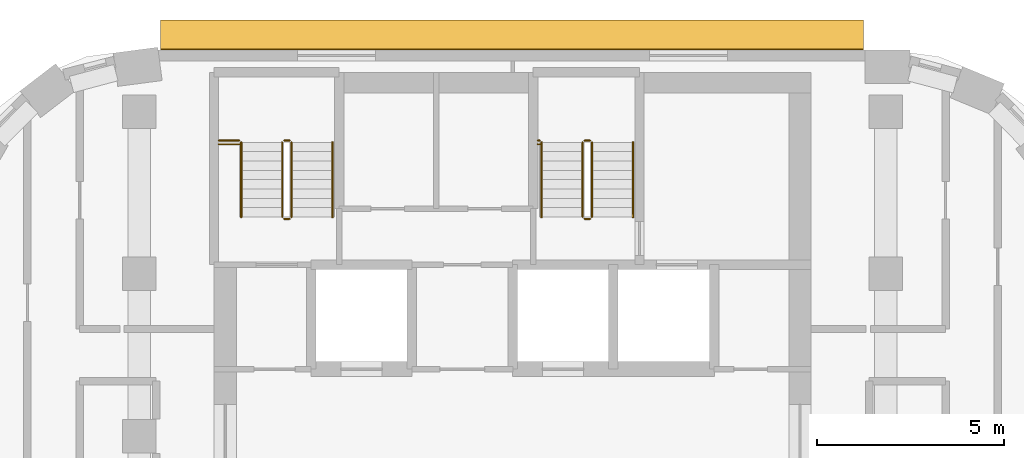
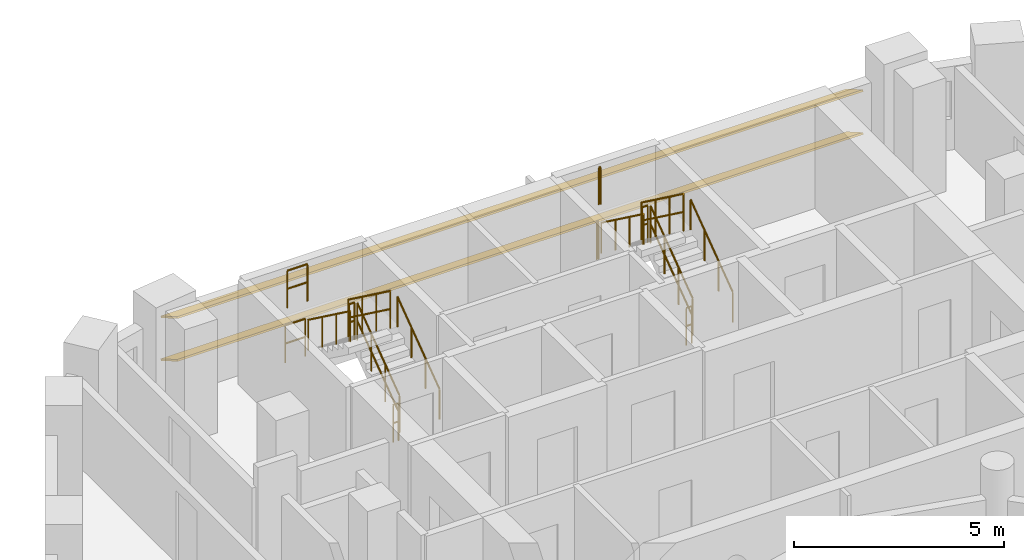
# One storey, part 16 of 16: 16 railings, 2 shading devices.
"""IFC4 building model written with IfcOpenShell, lengths in metres."""

from ifc_helpers import new_model, si_unit, direction, frame, origin, origin_2d, place, context, subcontext, project, spatial, rectangle, circle, extrude, material, material_profile, profile_set, type_object, element, save


model = new_model("IFC4")

# Units and contexts
model_context = context("Model", 3, precision=1e-05, world=origin(), true_north=direction((0.0, 1.0)))
body_context = subcontext(model_context, "Body", "Model", "MODEL_VIEW")
ifc_project = project(units=[si_unit("LENGTHUNIT", "METRE"), si_unit("AREAUNIT", "SQUARE_METRE"), si_unit("VOLUMEUNIT", "CUBIC_METRE"), si_unit("PLANEANGLEUNIT", "RADIAN"), si_unit("MASSUNIT", "GRAM", prefix="KILO")], contexts=[model_context])

# Site, building, storey
site_placement = place(None, origin())
site = spatial("IfcSite", under=ifc_project, at=site_placement, CompositionType="ELEMENT")
building_placement = place(site_placement, origin())
building = spatial("IfcBuilding", under=site, at=building_placement, Name="Nakaniwa Court", CompositionType="ELEMENT")
storey_placement = place(building_placement, frame((0.0, 0.0, 193.199951171875)))
storey = spatial("IfcBuildingStorey", under=building, at=storey_placement, Name="L50", CompositionType="ELEMENT", Elevation=193.199951171875)

# Shading devices
ifc_material_1 = material(Name="Perforated charcoal ceramic louvre blade")
ifc_material_profile = material_profile(ifc_material_1, rectangle(XDim=0.89990234375, YDim=0.050048828125, at=origin_2d()), Name="Perforated ceramic louvre blade")
ifc_profile_set = profile_set([ifc_material_profile], Name="Perforated charcoal ceramic louvre blade")
shading_device_type = type_object("IfcShadingDeviceType", Name="Perforated ceramic louvre blade", PredefinedType="JALOUSIE", material=ifc_profile_set)
for number, where, z_axis, x_axis, name in (
    (1, (89.3994140625, 103.05224609375, 0.550048828125), (-1.0, 0.0, 0.0), (0.0, -0.866025403784, 0.5), "L50 perforated ceramic louvre blade w08 1"),
    (2, (89.3994140625, 103.05224609375, 1.79345703125), (-1.0, 0.0, 0.0), (0.0, -0.866025403784, 0.5), "L50 perforated ceramic louvre blade w08 2"),
):
    element("IfcShadingDevice", number, at=place(storey_placement, frame(where, z_axis=z_axis, x_axis=x_axis)), inside=storey, type_object=shading_device_type, Name=name, PredefinedType="JALOUSIE", context=body_context, shape_type="SweptSolid", body=[
        extrude(rectangle(XDim=0.89990234375, YDim=0.050048828125, at=origin_2d()), origin(), (0.0, 0.0, 1.0), 18.8330078125),
    ])

# Railings
ifc_material_2 = material(Name="Black powder coated steel guard", Category="steel")
railing_type_1 = type_object("IfcRailingType", Name="Stair guard 1100", PredefinedType="GUARDRAIL", material=ifc_material_2)
railing_1_placement = place(storey_placement, frame((74.074951171875, 98.175048828125, 0.183349609375)))
element("IfcRailing", 3, at=railing_1_placement, inside=storey, type_object=railing_type_1, Name="L50 ST1 stair guard 1", PredefinedType="GUARDRAIL", context=body_context, shape_type="SweptSolid", body=[
    extrude(circle(Radius=0.02392578125, at=origin_2d()), frame((0.0, 0.0, 1.076171875), z_axis=(0.0, 0.806379959628, 0.591397802423), x_axis=(-1.0, 0.0, 0.0)), (0.0, 0.0, 1.0), 2.480224609375),
    extrude(circle(Radius=0.02392578125, at=origin_2d()), frame((0.0, 0.0, 0.550048828125), z_axis=(0.0, 0.806379959628, 0.591397802423), x_axis=(-1.0, 0.0, 0.0)), (0.0, 0.0, 1.0), 2.480224609375),
    extrude(circle(Radius=0.02099609375, at=origin_2d()), origin(), (0.0, 0.0, 1.0), 1.052001953125),
    extrude(circle(Radius=0.02099609375, at=origin_2d()), frame((0.0, 0.666748046875, 0.489013671875)), (0.0, 0.0, 1.0), 1.052001953125),
    extrude(circle(Radius=0.02099609375, at=origin_2d()), frame((0.0, 1.333251953125, 0.977783203125)), (0.0, 0.0, 1.0), 1.052001953125),
    extrude(circle(Radius=0.02099609375, at=origin_2d()), frame((0.0, 2.0, 1.466796875)), (0.0, 0.0, 1.0), 1.052001953125),
])
railing_2_placement = place(storey_placement, frame((74.02490234375, 100.22509765625, 1.650146484375)))
element("IfcRailing", 4, at=railing_2_placement, inside=storey, type_object=railing_type_1, Name="L50 ST1 stair guard 2", PredefinedType="GUARDRAIL", context=body_context, shape_type="SweptSolid", body=[
    extrude(circle(Radius=0.02392578125, at=origin_2d()), frame((0.0, 0.0, 1.076171875), z_axis=(-1.0, 0.0, 0.0), x_axis=(0.0, -1.0, 0.0)), (0.0, 0.0, 1.0), 0.14990234375),
    extrude(circle(Radius=0.02392578125, at=origin_2d()), frame((0.0, 0.0, 0.550048828125), z_axis=(-1.0, 0.0, 0.0), x_axis=(0.0, -1.0, 0.0)), (0.0, 0.0, 1.0), 0.14990234375),
    extrude(circle(Radius=0.02099609375, at=origin_2d()), origin(), (0.0, 0.0, 1.0), 1.052001953125),
    extrude(circle(Radius=0.02099609375, at=origin_2d()), frame((-0.14990234375, 0.0, 0.0)), (0.0, 0.0, 1.0), 1.052001953125),
])
railing_3_placement = place(storey_placement, frame((73.824951171875, 100.175048828125, 1.83349609375)))
element("IfcRailing", 5, at=railing_3_placement, inside=storey, type_object=railing_type_1, Name="L50 ST1 stair guard 3", PredefinedType="GUARDRAIL", context=body_context, shape_type="SweptSolid", body=[
    extrude(circle(Radius=0.02392578125, at=origin_2d()), frame((0.0, 0.0, 1.076171875), z_axis=(0.0, -0.806426902644, 0.591333789573), x_axis=(1.0, 0.0, 0.0)), (0.0, 0.0, 1.0), 2.47998046875),
    extrude(circle(Radius=0.02392578125, at=origin_2d()), frame((0.0, 0.0, 0.550048828125), z_axis=(0.0, -0.806426902644, 0.591333789573), x_axis=(1.0, 0.0, 0.0)), (0.0, 0.0, 1.0), 2.47998046875),
    extrude(circle(Radius=0.02099609375, at=origin_2d()), origin(), (0.0, 0.0, 1.0), 1.052001953125),
    extrude(circle(Radius=0.02099609375, at=origin_2d()), frame((0.0, -0.666748046875, 0.48876953125)), (0.0, 0.0, 1.0), 1.052001953125),
    extrude(circle(Radius=0.02099609375, at=origin_2d()), frame((0.0, -1.333251953125, 0.977783203125)), (0.0, 0.0, 1.0), 1.052001953125),
    extrude(circle(Radius=0.02099609375, at=origin_2d()), frame((0.0, -2.0, 1.466552734375)), (0.0, 0.0, 1.0), 1.052001953125),
])
railing_4_placement = place(storey_placement, frame((74.02490234375, 98.125, 0.0)))
element("IfcRailing", 6, at=railing_4_placement, inside=storey, type_object=railing_type_1, Name="L50 ST1 stair guard 4", PredefinedType="GUARDRAIL", context=body_context, shape_type="SweptSolid", body=[
    extrude(circle(Radius=0.02392578125, at=origin_2d()), frame((0.0, 0.0, 1.076171875), z_axis=(-1.0, 0.0, 0.0), x_axis=(0.0, -1.0, 0.0)), (0.0, 0.0, 1.0), 0.14990234375),
    extrude(circle(Radius=0.02392578125, at=origin_2d()), frame((0.0, 0.0, 0.550048828125), z_axis=(-1.0, 0.0, 0.0), x_axis=(0.0, -1.0, 0.0)), (0.0, 0.0, 1.0), 0.14990234375),
    extrude(circle(Radius=0.02099609375, at=origin_2d()), origin(), (0.0, 0.0, 1.0), 1.052001953125),
    extrude(circle(Radius=0.02099609375, at=origin_2d()), frame((-0.14990234375, 0.0, 0.0)), (0.0, 0.0, 1.0), 1.052001953125),
])
for number, where, name in (
    (7, (72.125, 100.22509765625, 1.650146484375), "L50 ST1 landing side guard 1W"),
    (8, (72.125, 100.125, 3.300048828125), "L50 ST1 floor edge guard 1W"),
):
    element("IfcRailing", number, at=place(storey_placement, frame(where)), inside=storey, type_object=railing_type_1, Name=name, PredefinedType="GUARDRAIL", context=body_context, shape_type="SweptSolid", body=[
        extrude(circle(Radius=0.02392578125, at=origin_2d()), frame((0.0, 0.0, 1.076171875), z_axis=(1.0, 0.0, 0.0), x_axis=(0.0, 1.0, 0.0)), (0.0, 0.0, 1.0), 0.550048828125),
        extrude(circle(Radius=0.02392578125, at=origin_2d()), frame((0.0, 0.0, 0.550048828125), z_axis=(1.0, 0.0, 0.0), x_axis=(0.0, 1.0, 0.0)), (0.0, 0.0, 1.0), 0.550048828125),
        extrude(circle(Radius=0.02099609375, at=origin_2d()), origin(), (0.0, 0.0, 1.0), 1.052001953125),
        extrude(circle(Radius=0.02099609375, at=origin_2d()), frame((0.550048828125, 0.0, 0.0)), (0.0, 0.0, 1.0), 1.052001953125),
    ])
railing_5_placement = place(storey_placement, frame((82.125, 98.175048828125, 0.183349609375)))
element("IfcRailing", 9, at=railing_5_placement, inside=storey, type_object=railing_type_1, Name="L50 ST2 stair guard 1", PredefinedType="GUARDRAIL", context=body_context, shape_type="SweptSolid", body=[
    extrude(circle(Radius=0.02392578125, at=origin_2d()), frame((0.0, 0.0, 1.076171875), z_axis=(0.0, 0.806379959628, 0.591397802423), x_axis=(-1.0, 0.0, 0.0)), (0.0, 0.0, 1.0), 2.480224609375),
    extrude(circle(Radius=0.02392578125, at=origin_2d()), frame((0.0, 0.0, 0.550048828125), z_axis=(0.0, 0.806379959628, 0.591397802423), x_axis=(-1.0, 0.0, 0.0)), (0.0, 0.0, 1.0), 2.480224609375),
    extrude(circle(Radius=0.02099609375, at=origin_2d()), origin(), (0.0, 0.0, 1.0), 1.052001953125),
    extrude(circle(Radius=0.02099609375, at=origin_2d()), frame((0.0, 0.666748046875, 0.489013671875)), (0.0, 0.0, 1.0), 1.052001953125),
    extrude(circle(Radius=0.02099609375, at=origin_2d()), frame((0.0, 1.333251953125, 0.977783203125)), (0.0, 0.0, 1.0), 1.052001953125),
    extrude(circle(Radius=0.02099609375, at=origin_2d()), frame((0.0, 2.0, 1.466796875)), (0.0, 0.0, 1.0), 1.052001953125),
])
railing_6_placement = place(storey_placement, frame((82.074951171875, 100.22509765625, 1.650146484375)))
element("IfcRailing", 10, at=railing_6_placement, inside=storey, type_object=railing_type_1, Name="L50 ST2 stair guard 2", PredefinedType="GUARDRAIL", context=body_context, shape_type="SweptSolid", body=[
    extrude(circle(Radius=0.02392578125, at=origin_2d()), frame((0.0, 0.0, 1.076171875), z_axis=(-1.0, 0.0, 0.0), x_axis=(0.0, -1.0, 0.0)), (0.0, 0.0, 1.0), 0.14990234375),
    extrude(circle(Radius=0.02392578125, at=origin_2d()), frame((0.0, 0.0, 0.550048828125), z_axis=(-1.0, 0.0, 0.0), x_axis=(0.0, -1.0, 0.0)), (0.0, 0.0, 1.0), 0.14990234375),
    extrude(circle(Radius=0.02099609375, at=origin_2d()), origin(), (0.0, 0.0, 1.0), 1.052001953125),
    extrude(circle(Radius=0.02099609375, at=origin_2d()), frame((-0.14990234375, 0.0, 0.0)), (0.0, 0.0, 1.0), 1.052001953125),
])
railing_7_placement = place(storey_placement, frame((81.875, 100.175048828125, 1.83349609375)))
element("IfcRailing", 11, at=railing_7_placement, inside=storey, type_object=railing_type_1, Name="L50 ST2 stair guard 3", PredefinedType="GUARDRAIL", context=body_context, shape_type="SweptSolid", body=[
    extrude(circle(Radius=0.02392578125, at=origin_2d()), frame((0.0, 0.0, 1.076171875), z_axis=(0.0, -0.806426902644, 0.591333789573), x_axis=(1.0, 0.0, 0.0)), (0.0, 0.0, 1.0), 2.47998046875),
    extrude(circle(Radius=0.02392578125, at=origin_2d()), frame((0.0, 0.0, 0.550048828125), z_axis=(0.0, -0.806426902644, 0.591333789573), x_axis=(1.0, 0.0, 0.0)), (0.0, 0.0, 1.0), 2.47998046875),
    extrude(circle(Radius=0.02099609375, at=origin_2d()), origin(), (0.0, 0.0, 1.0), 1.052001953125),
    extrude(circle(Radius=0.02099609375, at=origin_2d()), frame((0.0, -0.666748046875, 0.48876953125)), (0.0, 0.0, 1.0), 1.052001953125),
    extrude(circle(Radius=0.02099609375, at=origin_2d()), frame((0.0, -1.333251953125, 0.977783203125)), (0.0, 0.0, 1.0), 1.052001953125),
    extrude(circle(Radius=0.02099609375, at=origin_2d()), frame((0.0, -2.0, 1.466552734375)), (0.0, 0.0, 1.0), 1.052001953125),
])
railing_8_placement = place(storey_placement, frame((82.074951171875, 98.125, 0.0)))
element("IfcRailing", 12, at=railing_8_placement, inside=storey, type_object=railing_type_1, Name="L50 ST2 stair guard 4", PredefinedType="GUARDRAIL", context=body_context, shape_type="SweptSolid", body=[
    extrude(circle(Radius=0.02392578125, at=origin_2d()), frame((0.0, 0.0, 1.076171875), z_axis=(-1.0, 0.0, 0.0), x_axis=(0.0, -1.0, 0.0)), (0.0, 0.0, 1.0), 0.14990234375),
    extrude(circle(Radius=0.02392578125, at=origin_2d()), frame((0.0, 0.0, 0.550048828125), z_axis=(-1.0, 0.0, 0.0), x_axis=(0.0, -1.0, 0.0)), (0.0, 0.0, 1.0), 0.14990234375),
    extrude(circle(Radius=0.02099609375, at=origin_2d()), origin(), (0.0, 0.0, 1.0), 1.052001953125),
    extrude(circle(Radius=0.02099609375, at=origin_2d()), frame((-0.14990234375, 0.0, 0.0)), (0.0, 0.0, 1.0), 1.052001953125),
])
for number, where, name in (
    (13, (80.675048828125, 100.22509765625, 1.650146484375), "L50 ST2 landing side guard 1W"),
    (14, (80.675048828125, 100.125, 3.300048828125), "L50 ST2 floor edge guard 1W"),
):
    element("IfcRailing", number, at=place(storey_placement, frame(where)), inside=storey, type_object=railing_type_1, Name=name, PredefinedType="GUARDRAIL", context=body_context, shape_type="SweptSolid", body=[
        extrude(circle(Radius=0.02392578125, at=origin_2d()), frame((0.0, 0.0, 1.076171875), z_axis=(1.0, 0.0, 0.0), x_axis=(0.0, 1.0, 0.0)), (0.0, 0.0, 1.0), 0.050048828125),
        extrude(circle(Radius=0.02392578125, at=origin_2d()), frame((0.0, 0.0, 0.550048828125), z_axis=(1.0, 0.0, 0.0), x_axis=(0.0, 1.0, 0.0)), (0.0, 0.0, 1.0), 0.050048828125),
        extrude(circle(Radius=0.02099609375, at=origin_2d()), origin(), (0.0, 0.0, 1.0), 1.052001953125),
        extrude(circle(Radius=0.02099609375, at=origin_2d()), frame((0.050048828125, 0.0, 0.0)), (0.0, 0.0, 1.0), 1.052001953125),
    ])
ifc_material_3 = material(Name="Black powder coated steel handrail", Category="steel")
railing_type_2 = type_object("IfcRailingType", Name="Stair handrail 900", PredefinedType="HANDRAIL", material=ifc_material_3)
railing_9_placement = place(storey_placement, frame((75.175048828125, 98.175048828125, 0.183349609375)))
element("IfcRailing", 15, at=railing_9_placement, inside=storey, type_object=railing_type_2, Name="L50 ST1 stair handrail 1", PredefinedType="HANDRAIL", context=body_context, shape_type="SweptSolid", body=[
    extrude(circle(Radius=0.02392578125, at=origin_2d()), frame((0.0, 0.0, 0.8759765625), z_axis=(0.0, 0.806379959628, 0.591397802423), x_axis=(-1.0, 0.0, 0.0)), (0.0, 0.0, 1.0), 2.480224609375),
    extrude(circle(Radius=0.02099609375, at=origin_2d()), origin(), (0.0, 0.0, 1.0), 0.851806640625),
    extrude(circle(Radius=0.02099609375, at=origin_2d()), frame((0.0, 0.666748046875, 0.489013671875)), (0.0, 0.0, 1.0), 0.851806640625),
    extrude(circle(Radius=0.02099609375, at=origin_2d()), frame((0.0, 1.333251953125, 0.977783203125)), (0.0, 0.0, 1.0), 0.851806640625),
    extrude(circle(Radius=0.02099609375, at=origin_2d()), frame((0.0, 2.0, 1.466796875)), (0.0, 0.0, 1.0), 0.851806640625),
])
railing_10_placement = place(storey_placement, frame((72.72509765625, 100.175048828125, 1.83349609375)))
element("IfcRailing", 16, at=railing_10_placement, inside=storey, type_object=railing_type_2, Name="L50 ST1 stair handrail 2", PredefinedType="HANDRAIL", context=body_context, shape_type="SweptSolid", body=[
    extrude(circle(Radius=0.02392578125, at=origin_2d()), frame((0.0, 0.0, 0.8759765625), z_axis=(0.0, -0.806426902644, 0.591333789573), x_axis=(1.0, 0.0, 0.0)), (0.0, 0.0, 1.0), 2.47998046875),
    extrude(circle(Radius=0.02099609375, at=origin_2d()), origin(), (0.0, 0.0, 1.0), 0.851806640625),
    extrude(circle(Radius=0.02099609375, at=origin_2d()), frame((0.0, -0.666748046875, 0.48876953125)), (0.0, 0.0, 1.0), 0.851806640625),
    extrude(circle(Radius=0.02099609375, at=origin_2d()), frame((0.0, -1.333251953125, 0.977783203125)), (0.0, 0.0, 1.0), 0.851806640625),
    extrude(circle(Radius=0.02099609375, at=origin_2d()), frame((0.0, -2.0, 1.466552734375)), (0.0, 0.0, 1.0), 0.851806640625),
])
railing_11_placement = place(storey_placement, frame((83.22509765625, 98.175048828125, 0.183349609375)))
element("IfcRailing", 17, at=railing_11_placement, inside=storey, type_object=railing_type_2, Name="L50 ST2 stair handrail 1", PredefinedType="HANDRAIL", context=body_context, shape_type="SweptSolid", body=[
    extrude(circle(Radius=0.02392578125, at=origin_2d()), frame((0.0, 0.0, 0.8759765625), z_axis=(0.0, 0.806379959628, 0.591397802423), x_axis=(-1.0, 0.0, 0.0)), (0.0, 0.0, 1.0), 2.480224609375),
    extrude(circle(Radius=0.02099609375, at=origin_2d()), origin(), (0.0, 0.0, 1.0), 0.851806640625),
    extrude(circle(Radius=0.02099609375, at=origin_2d()), frame((0.0, 0.666748046875, 0.489013671875)), (0.0, 0.0, 1.0), 0.851806640625),
    extrude(circle(Radius=0.02099609375, at=origin_2d()), frame((0.0, 1.333251953125, 0.977783203125)), (0.0, 0.0, 1.0), 0.851806640625),
    extrude(circle(Radius=0.02099609375, at=origin_2d()), frame((0.0, 2.0, 1.466796875)), (0.0, 0.0, 1.0), 0.851806640625),
])
railing_12_placement = place(storey_placement, frame((80.77490234375, 100.175048828125, 1.83349609375)))
element("IfcRailing", 18, at=railing_12_placement, inside=storey, type_object=railing_type_2, Name="L50 ST2 stair handrail 2", PredefinedType="HANDRAIL", context=body_context, shape_type="SweptSolid", body=[
    extrude(circle(Radius=0.02392578125, at=origin_2d()), frame((0.0, 0.0, 0.8759765625), z_axis=(0.0, -0.806426902644, 0.591333789573), x_axis=(1.0, 0.0, 0.0)), (0.0, 0.0, 1.0), 2.47998046875),
    extrude(circle(Radius=0.02099609375, at=origin_2d()), origin(), (0.0, 0.0, 1.0), 0.851806640625),
    extrude(circle(Radius=0.02099609375, at=origin_2d()), frame((0.0, -0.666748046875, 0.48876953125)), (0.0, 0.0, 1.0), 0.851806640625),
    extrude(circle(Radius=0.02099609375, at=origin_2d()), frame((0.0, -1.333251953125, 0.977783203125)), (0.0, 0.0, 1.0), 0.851806640625),
    extrude(circle(Radius=0.02099609375, at=origin_2d()), frame((0.0, -2.0, 1.466552734375)), (0.0, 0.0, 1.0), 0.851806640625),
])

save(model, "model.ifc")
